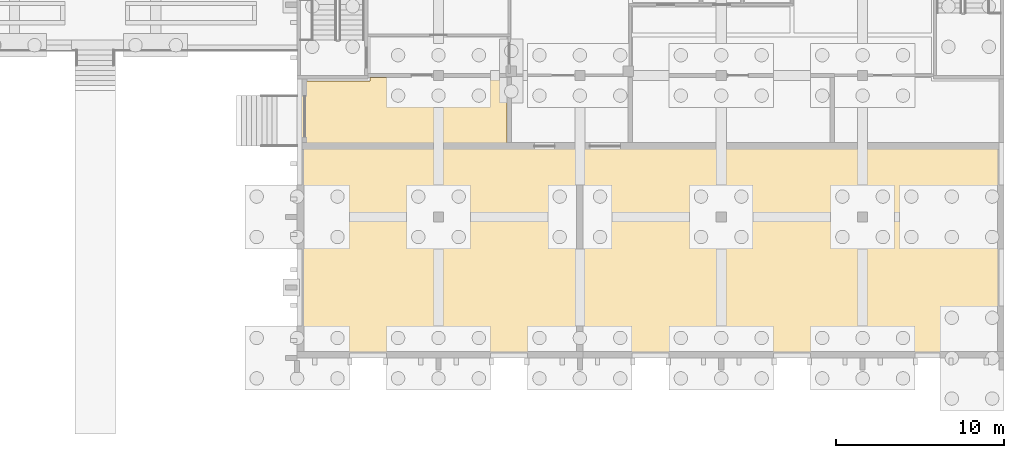
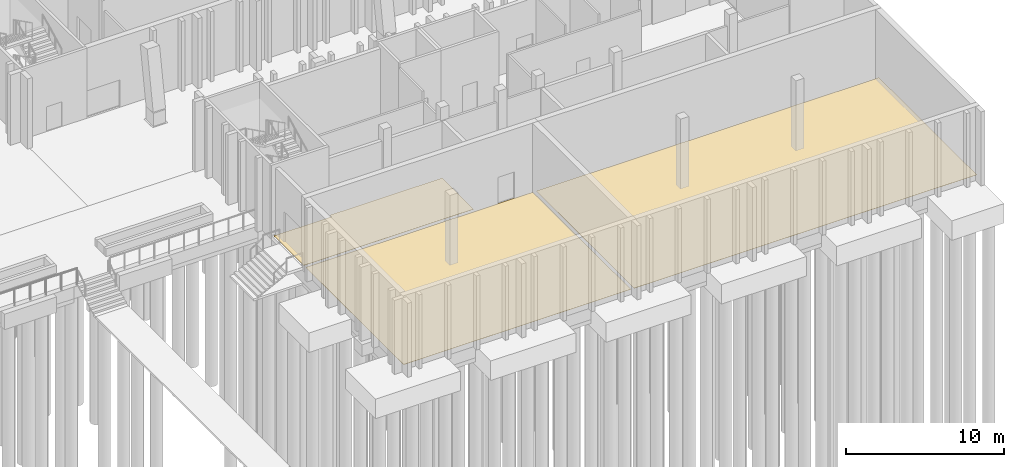
# One storey, part 122 of 129: 3 coverings.
"""IFC4 building model written with IfcOpenShell, lengths in metres."""

from ifc_helpers import new_model, si_unit, direction, origin, place, context, subcontext, project, spatial, polyline, outline, extrude, material, layer, layer_set, type_object, element, save


model = new_model("IFC4")

# Units and contexts
model_context = context("Model", 3, precision=1e-05, world=origin(), true_north=direction((0.0, 1.0)))
body_context = subcontext(model_context, "Body", "Model", "MODEL_VIEW")
ifc_project = project(units=[si_unit("LENGTHUNIT", "METRE"), si_unit("AREAUNIT", "SQUARE_METRE"), si_unit("VOLUMEUNIT", "CUBIC_METRE"), si_unit("PLANEANGLEUNIT", "RADIAN"), si_unit("MASSUNIT", "GRAM", prefix="KILO")], contexts=[model_context])

# Site, building, storey
site_placement = place(None, origin())
site = spatial("IfcSite", under=ifc_project, at=site_placement, CompositionType="ELEMENT")
building_placement = place(site_placement, origin())
building = spatial("IfcBuilding", under=site, at=building_placement, Name="Kiln Court Media Centre", CompositionType="ELEMENT")
storey_placement = place(building_placement, origin())
storey = spatial("IfcBuildingStorey", under=building, at=storey_placement, Name="L00", CompositionType="ELEMENT", Elevation=0.0)

# Coverings
ifc_material = material(Name="Carpet tile")
ifc_layer = layer(ifc_material, 0.014892578125)
ifc_layer_set = layer_set([ifc_layer], Name="Carpet tile floor finish 15")
covering_type = type_object("IfcCoveringType", Name="Carpet tile floor finish 15", PredefinedType="FLOORING", material=ifc_layer_set)
covering_1_placement = place(storey_placement, origin())
element("IfcCovering", 1, at=covering_1_placement, inside=storey, type_object=covering_type, Name="Recording Studio 1 floor finish", PredefinedType="FLOORING", context=body_context, shape_type="SweptSolid", body=[
    extrude(outline(polyline([(126.1201171875, 0.1201171875), (142.679931640625, 0.1201171875), (142.679931640625, 12.47998046875), (126.1201171875, 12.47998046875), (126.1201171875, 0.1201171875)])), origin(), (0.0, 0.0, 1.0), 0.014892578125),
])
covering_2_placement = place(storey_placement, origin())
element("IfcCovering", 2, at=covering_2_placement, inside=storey, type_object=covering_type, Name="Recording Studio 2 floor finish", PredefinedType="FLOORING", context=body_context, shape_type="SweptSolid", body=[
    extrude(outline(polyline([(142.919921875, 0.1201171875), (167.8798828125, 0.1201171875), (167.8798828125, 12.47998046875), (142.919921875, 12.47998046875), (142.919921875, 0.1201171875)])), origin(), (0.0, 0.0, 1.0), 0.014892578125),
])
covering_3_placement = place(storey_placement, origin())
element("IfcCovering", 3, at=covering_3_placement, inside=storey, type_object=covering_type, Name="Control Room 1 floor finish", PredefinedType="FLOORING", context=body_context, shape_type="SweptSolid", body=[
    extrude(outline(polyline([(138.47998046875, 16.679931640625), (130.320068359375, 16.679931640625), (130.320068359375, 16.47998046875), (126.1201171875, 16.47998046875), (126.1201171875, 12.719970703125), (138.47998046875, 12.719970703125), (138.47998046875, 16.679931640625)])), origin(), (0.0, 0.0, 1.0), 0.014892578125),
])

save(model, "model.ifc")
